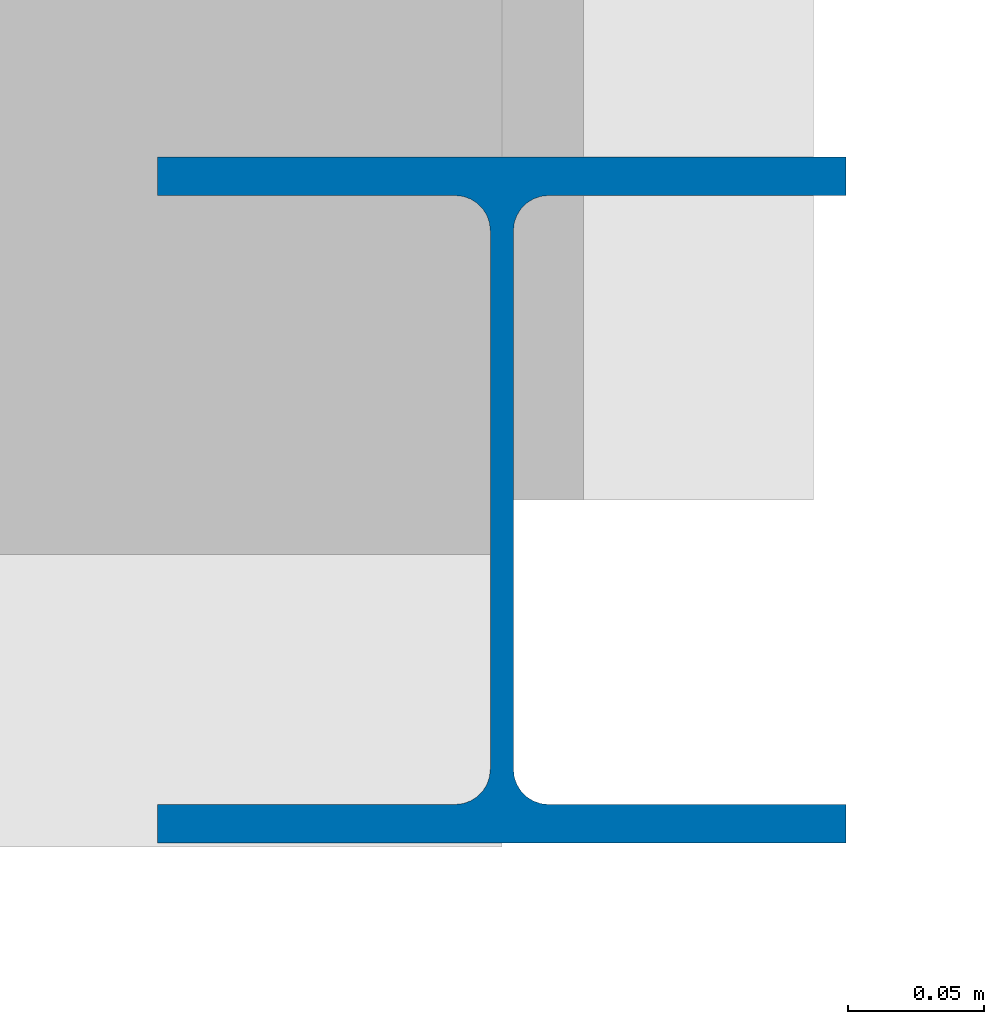
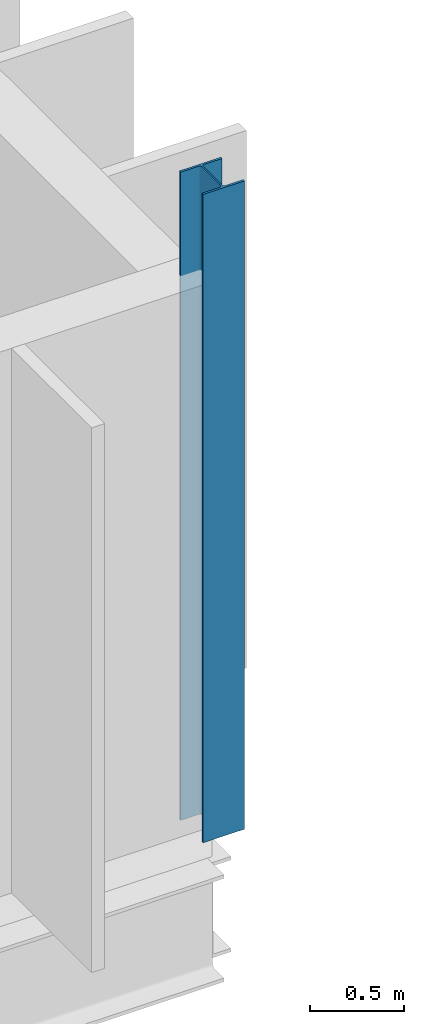
# One storey, part 2 of 18: 1 column.
"""IFC4 building model written with IfcOpenShell, lengths in metres."""

from ifc_helpers import new_model, si_unit, direction, frame, origin, origin_2d, place, context, subcontext, project, spatial, i_section, extrude, material, material_profile, profile_set, type_object, element, save


model = new_model("IFC4")

# Units and contexts
model_context = context("Model", 3, precision=1e-05, world=origin(), true_north=direction((0.0, 1.0)))
body_context = subcontext(model_context, "Body", "Model", "MODEL_VIEW")
ifc_project = project(units=[si_unit("LENGTHUNIT", "METRE"), si_unit("AREAUNIT", "SQUARE_METRE"), si_unit("VOLUMEUNIT", "CUBIC_METRE"), si_unit("PLANEANGLEUNIT", "RADIAN"), si_unit("MASSUNIT", "GRAM", prefix="KILO")], contexts=[model_context])

# Site, building, storey
site_placement = place(None, origin())
site = spatial("IfcSite", under=ifc_project, at=site_placement, CompositionType="ELEMENT")
building_placement = place(site_placement, origin())
building = spatial("IfcBuilding", under=site, at=building_placement, Name="Qelthora Terrace Specialist Clinic", CompositionType="ELEMENT")
storey_placement = place(building_placement, frame((0.0, 0.0, 21.60009765625)))
storey = spatial("IfcBuildingStorey", under=building, at=storey_placement, Name="L05", CompositionType="ELEMENT", Elevation=21.60009765625)

# Column
ifc_material = material(Name="Steel S355", Category="steel")
ifc_material_profile = material_profile(ifc_material, i_section(OverallWidth=0.25390625, OverallDepth=0.2529296875, WebThickness=0.008544921875, FlangeThickness=0.01416015625, FilletRadius=0.012939453125, at=origin_2d()), Name="W250X73")
ifc_profile_set = profile_set([ifc_material_profile], Name="Steel S355")
column_type = type_object("IfcColumnType", Name="COL-W250X73", PredefinedType="COLUMN", material=ifc_profile_set)
column_placement = place(storey_placement, frame((43.199951171875, 58.800048828125, 0.0), z_axis=(0.0, 0.0, 1.0), x_axis=(1.0, 0.0, 0.0)))
element("IfcColumn", 1, at=column_placement, inside=storey, type_object=column_type, Name="Column L05-086", PredefinedType="COLUMN", context=body_context, shape_type="SweptSolid", body=[
    extrude(i_section(OverallWidth=0.25390625, OverallDepth=0.2529296875, WebThickness=0.008544921875, FlangeThickness=0.01416015625, FilletRadius=0.012939453125, at=origin_2d()), origin(), (0.0, 0.0, 1.0), 4.199951171875),
])

save(model, "model.ifc")
